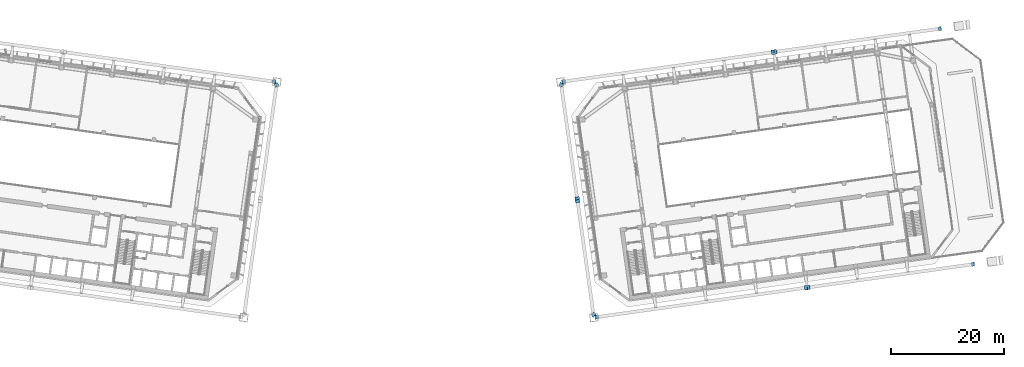
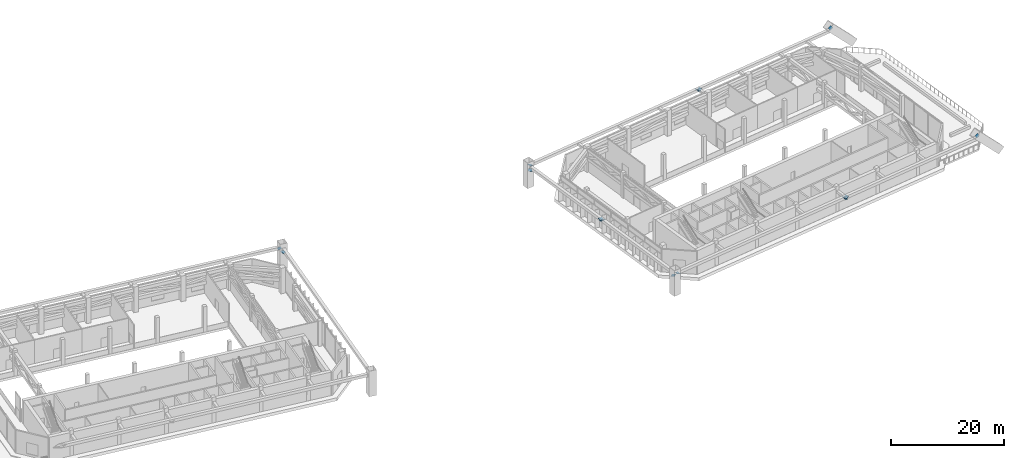
# One storey, part 28 of 41: 14 discrete accessories.
"""IFC4 building model written with IfcOpenShell, lengths in metres."""

from ifc_helpers import new_model, si_unit, direction, frame, origin, origin_2d, place, context, subcontext, project, spatial, rectangle, extrude, material, material_profile, profile_set, type_object, element, save


model = new_model("IFC4")

# Units and contexts
model_context = context("Model", 3, precision=1e-05, world=origin(), true_north=direction((0.0, 1.0)))
body_context = subcontext(model_context, "Body", "Model", "MODEL_VIEW")
ifc_project = project(units=[si_unit("LENGTHUNIT", "METRE"), si_unit("AREAUNIT", "SQUARE_METRE"), si_unit("VOLUMEUNIT", "CUBIC_METRE"), si_unit("PLANEANGLEUNIT", "RADIAN"), si_unit("MASSUNIT", "GRAM", prefix="KILO")], contexts=[model_context])

# Site, building, storey
site_placement = place(None, origin())
site = spatial("IfcSite", under=ifc_project, at=site_placement, CompositionType="ELEMENT")
building_placement = place(site_placement, origin())
building = spatial("IfcBuilding", under=site, at=building_placement, Name="Mirante Cascada Hotel Towers", CompositionType="ELEMENT")
storey_placement = place(building_placement, frame((0.0, 0.0, 151.9)))
storey = spatial("IfcBuildingStorey", under=building, at=storey_placement, Name="L35", CompositionType="ELEMENT", Elevation=151.9)

# Discrete accessories
ifc_material_1 = material(Name="Steel ASTM A572 Gr 50", Category="steel")
ifc_material_profile_1 = material_profile(ifc_material_1, rectangle(XDim=0.7, YDim=0.7, at=origin_2d()), Name="Connection plate 700x700x25 ASTM A572 Gr 50")
ifc_profile_set_1 = profile_set([ifc_material_profile_1], Name="Steel ASTM A572 Gr 50")
discrete_accessory_type_1 = type_object("IfcDiscreteAccessoryType", Name="Connection plate 700x700x25 ASTM A572 Gr 50", PredefinedType="BRACKET", material=ifc_profile_set_1)
for number, where, z_axis, x_axis, name in (
    (1, (-25.5699, 18.5838, 4.1947), (-0.3075231, 0.0439319, 0.9505259), (-0.1414214, -0.9899495, 0.0), "Connection plate MB-FL35L"),
    (2, (-25.1333, 18.0129, 3.6203), (0.1038829, -0.2157568, 0.9709054), (0.9010017, 0.4338156, 0.0), "Connection plate MB-IL35R"),
    (3, (25.5699, 18.5838, 4.1947), (0.3075231, 0.0439319, 0.9505259), (-0.1414214, 0.9899495, 0.0), "Connection plate MB-FL35L"),
    (4, (91.9824, 27.9174, 4.7858), (-0.6242198, -0.088031, 0.7762733), (0.1396438, -0.9902018, 0.0), "Connection plate MB-FL35R"),
    (5, (31.4152, -23.0075, 4.1947), (0.3075231, 0.0439319, 0.9505259), (-0.1414214, 0.9899495, 0.0), "Connection plate MB-RL35L"),
):
    element("IfcDiscreteAccessory", number, at=place(storey_placement, frame(where, z_axis=z_axis, x_axis=x_axis)), inside=storey, type_object=discrete_accessory_type_1, Name=name, PredefinedType="BRACKET", context=body_context, shape_type="SweptSolid", body=[
        extrude(rectangle(XDim=0.7, YDim=0.7, at=origin_2d()), origin(), (0.0, 0.0, 1.0), 0.025),
    ])
discrete_accessory_1_placement = place(storey_placement, frame((97.8276, -13.6738, 4.7858), z_axis=(-0.6217683, -0.088251, 0.7782133), x_axis=(0.140527, -0.9900768, 0.0)))
element("IfcDiscreteAccessory", 6, at=discrete_accessory_1_placement, inside=storey, type_object=discrete_accessory_type_1, Name="Connection plate MB-RL35R", PredefinedType="BRACKET", context=body_context, shape_type="SweptSolid", body=[
    extrude(rectangle(XDim=0.7, YDim=0.7, at=origin_2d()), origin(), (0.0, 0.0, 1.0), 0.0249),
])
for number, where, z_axis, x_axis, name in (
    (7, (30.8381, -22.5791, 3.6203), (-0.1597777, 0.17975, 0.9706498), (-0.7474093, -0.6643638, 0.0), "Connection plate MB-IL35L"),
    (8, (25.1333, 18.0129, 3.6203), (-0.1038829, -0.2157568, 0.9709054), (0.9010017, -0.4338156, 0.0), "Connection plate MB-IL35R"),
):
    element("IfcDiscreteAccessory", number, at=place(storey_placement, frame(where, z_axis=z_axis, x_axis=x_axis)), inside=storey, type_object=discrete_accessory_type_1, Name=name, PredefinedType="BRACKET", context=body_context, shape_type="SweptSolid", body=[
        extrude(rectangle(XDim=0.7, YDim=0.7, at=origin_2d()), origin(), (0.0, 0.0, 1.0), 0.025),
    ])
ifc_material_2 = material(Name="Steel ASTM A572 Gr 50", Category="steel")
ifc_material_profile_2 = material_profile(ifc_material_2, rectangle(XDim=0.8, YDim=0.8, at=origin_2d()), Name="Connection plate 800x800x25 ASTM A572 Gr 50")
ifc_profile_set_2 = profile_set([ifc_material_profile_2], Name="Steel ASTM A572 Gr 50")
discrete_accessory_type_2 = type_object("IfcDiscreteAccessoryType", Name="Connection plate 800x800x25 ASTM A572 Gr 50", PredefinedType="BRACKET", material=ifc_profile_set_2)
discrete_accessory_2_placement = place(storey_placement, frame((62.5817, 23.7854, 4.2236), z_axis=(0.5363563, 0.0760505, 0.8405583), x_axis=(-0.1403868, 0.9900967, 0.0)))
element("IfcDiscreteAccessory", 9, at=discrete_accessory_2_placement, inside=storey, type_object=discrete_accessory_type_2, Name="Connection plate MB-FL20L", PredefinedType="BRACKET", context=body_context, shape_type="SweptSolid", body=[
    extrude(rectangle(XDim=0.8, YDim=0.8, at=origin_2d()), origin(), (0.0, 0.0, 1.0), 0.025),
])
for number, where, z_axis, x_axis, name in (
    (10, (62.8723, 23.8263, 4.2236), (-0.5334959, -0.0762137, 0.8423619), (0.1414214, -0.9899495, 0.0), "Connection plate MB-FL20R"),
    (11, (68.427, -17.8058, 4.2236), (0.5334959, 0.0762137, 0.8423619), (-0.1414214, 0.9899495, 0.0), "Connection plate MB-RL20L"),
):
    element("IfcDiscreteAccessory", number, at=place(storey_placement, frame(where, z_axis=z_axis, x_axis=x_axis)), inside=storey, type_object=discrete_accessory_type_2, Name=name, PredefinedType="BRACKET", context=body_context, shape_type="SweptSolid", body=[
        extrude(rectangle(XDim=0.8, YDim=0.8, at=origin_2d()), origin(), (0.0, 0.0, 1.0), 0.0249),
    ])
for number, where, z_axis, x_axis, name in (
    (12, (68.7176, -17.765, 4.2236), (-0.5363563, -0.0760505, 0.8405583), (0.1403868, -0.9900967, 0.0), "Connection plate MB-RL20R"),
    (13, (28.0041, -2.426, 4.3072), (-0.044043, 0.3243167, 0.9449227), (-0.9909045, -0.1345673, 0.0), "Connection plate MB-IL20L"),
    (14, (27.964, -2.1406, 4.3072), (0.044043, -0.3243167, 0.9449227), (0.9909045, 0.1345673, 0.0), "Connection plate MB-IL20R"),
):
    element("IfcDiscreteAccessory", number, at=place(storey_placement, frame(where, z_axis=z_axis, x_axis=x_axis)), inside=storey, type_object=discrete_accessory_type_2, Name=name, PredefinedType="BRACKET", context=body_context, shape_type="SweptSolid", body=[
        extrude(rectangle(XDim=0.8, YDim=0.8, at=origin_2d()), origin(), (0.0, 0.0, 1.0), 0.025),
    ])

save(model, "model.ifc")
